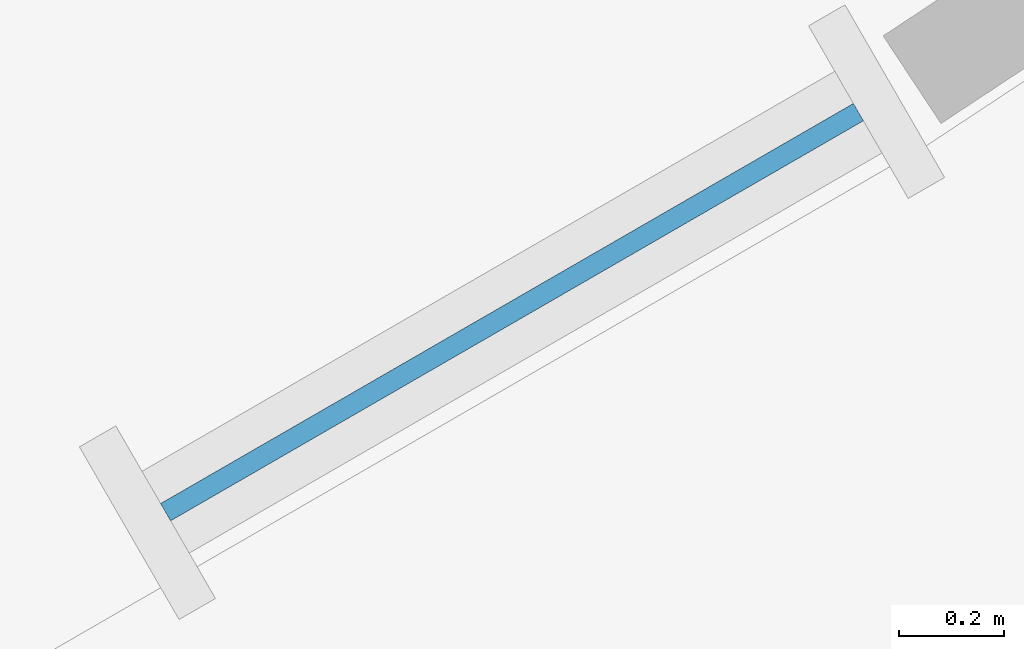
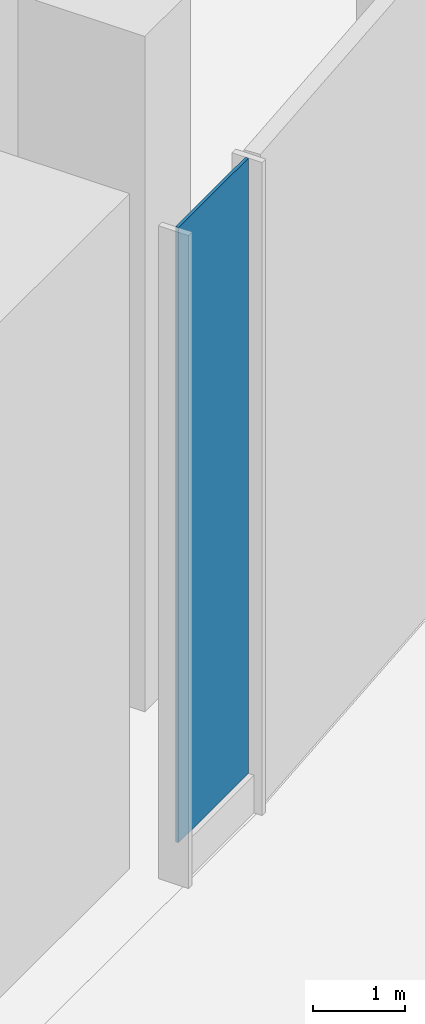
# One storey, part 10 of 22: 1 plate, 1 element without a shape of its own.
"""IFC4 building model written with IfcOpenShell, lengths in metres."""

from ifc_helpers import new_model, si_unit, direction, frame, origin, origin_2d, place, context, subcontext, project, spatial, rectangle, extrude, material, layer, layer_set, type_object, element, aggregate, save


model = new_model("IFC4")

# Units and contexts
model_context = context("Model", 3, precision=1e-05, world=origin(), true_north=direction((0.0, 1.0)))
body_context = subcontext(model_context, "Body", "Model", "MODEL_VIEW")
ifc_project = project(units=[si_unit("LENGTHUNIT", "METRE"), si_unit("AREAUNIT", "SQUARE_METRE"), si_unit("VOLUMEUNIT", "CUBIC_METRE"), si_unit("PLANEANGLEUNIT", "RADIAN"), si_unit("MASSUNIT", "GRAM", prefix="KILO")], contexts=[model_context])

# Site, building, storey
site_placement = place(None, origin())
site = spatial("IfcSite", under=ifc_project, at=site_placement, CompositionType="ELEMENT")
building_placement = place(site_placement, origin())
building = spatial("IfcBuilding", under=site, at=building_placement, Name="Tanit Gate Tower", CompositionType="ELEMENT")
storey_placement = place(building_placement, origin())
storey = spatial("IfcBuildingStorey", under=building, at=storey_placement, Name="L00", CompositionType="ELEMENT", Elevation=0.0)

# Curtain wall, plate
ifc_material_1 = material(Name="Aluminium bronze anodised and glass", Category="aluminium")
curtain_wall_type = type_object("IfcCurtainWallType", Name="Curtain wall shopfront", PredefinedType="NOTDEFINED", material=ifc_material_1)
curtain_wall_placement = place(storey_placement, origin())
curtain_wall = element("IfcCurtainWall", 1, at=curtain_wall_placement, inside=storey, type_object=curtain_wall_type, Name="Curtain wall L00 SE2b", PredefinedType="NOTDEFINED")
ifc_material_2 = material(Name="Glass tinted laminated safety", Category="glass")
ifc_layer = layer(ifc_material_2, 0.0380859375)
ifc_layer_set = layer_set([ifc_layer], Name="Glass panel 38 shopfront")
plate_type = type_object("IfcPlateType", Name="Glass panel 38 shopfront", PredefinedType="CURTAIN_PANEL", material=ifc_layer_set)
plate_placement = place(storey_placement, frame((30.23779296875, -12.68798828125, 0.5), z_axis=(0.0, 0.0, 1.0), x_axis=(0.865990732317, 0.500060047936, 0.0)))
plate = element("IfcPlate", 2, at=plate_placement, type_object=plate_type, Name="Glass panel L00 SE2b.1", PredefinedType="CURTAIN_PANEL", context=body_context, shape_type="SweptSolid", body=[
    extrude(rectangle(XDim=1.525390625, YDim=0.0380859375, at=origin_2d()), origin(), (0.0, 0.0, 1.0), 8.199951171875),
])
aggregate(curtain_wall, [plate])

save(model, "model.ifc")
